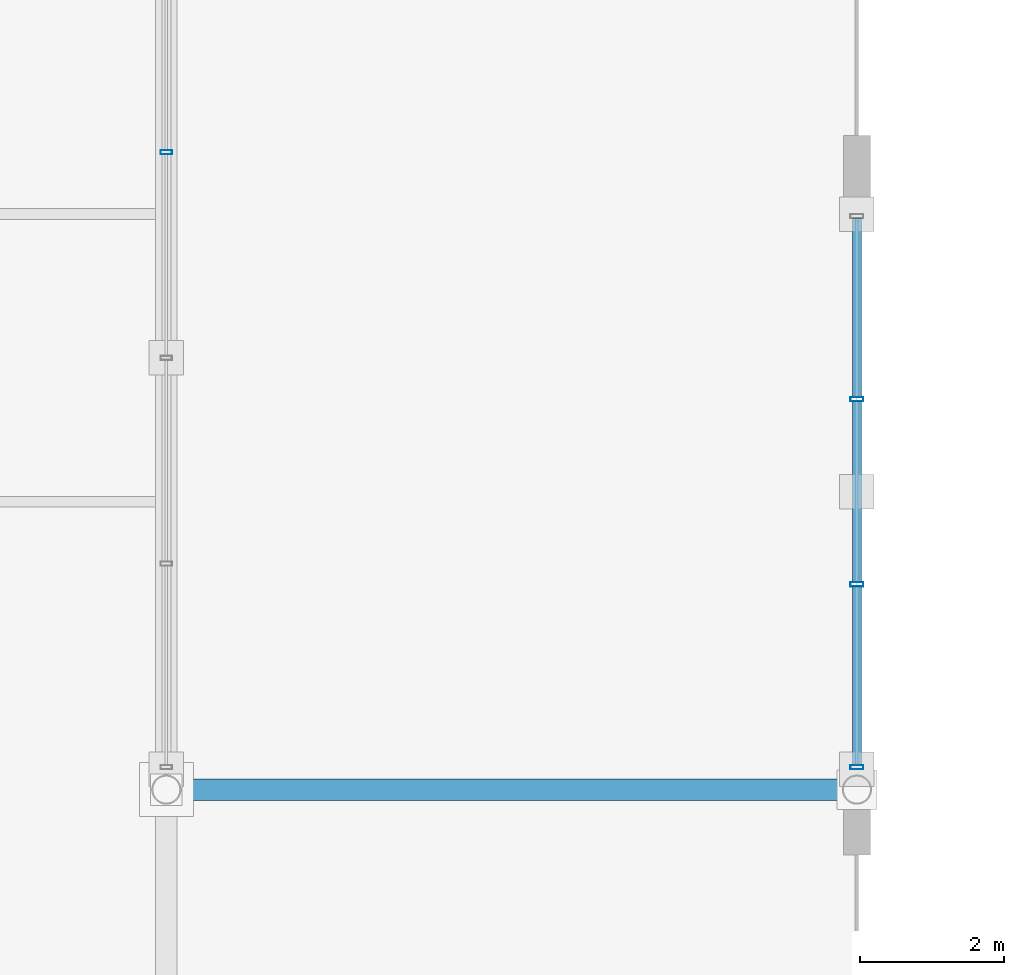
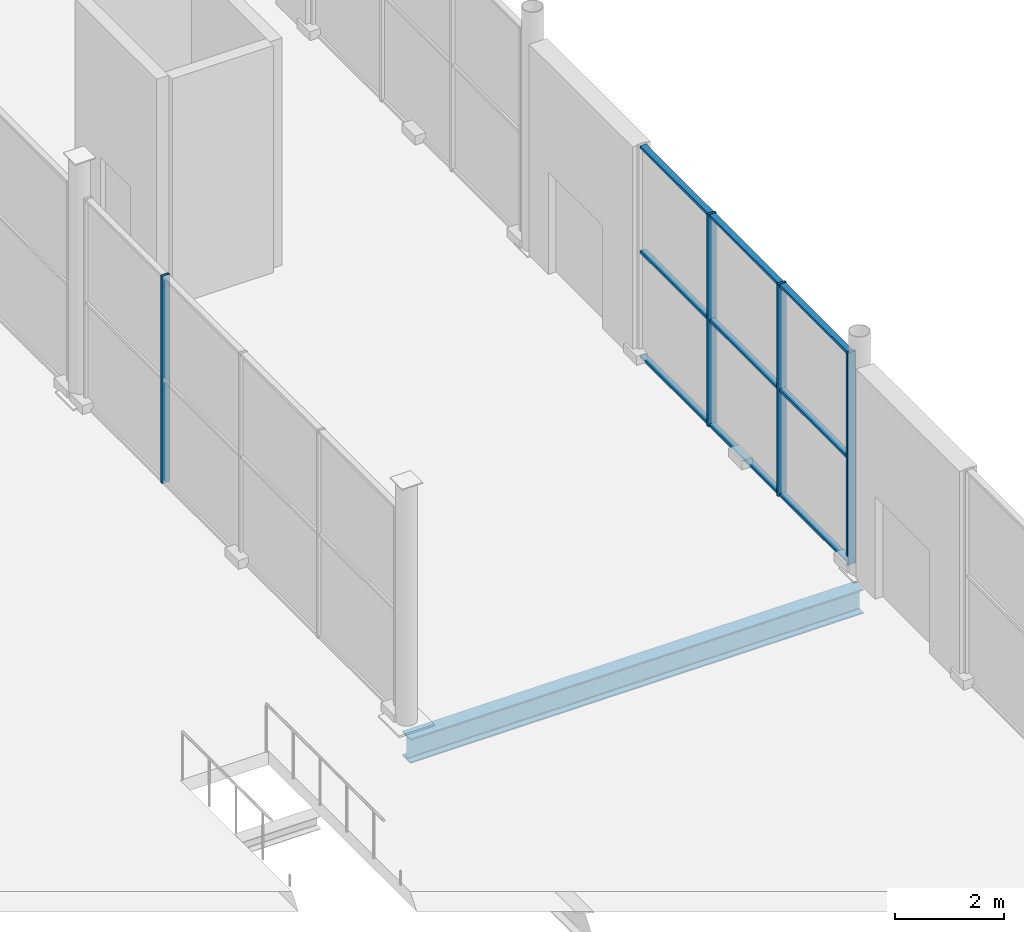
# One storey, part 115 of 196: 13 members, 1 beam, 2 elements without a shape of their own.
"""IFC4 building model written with IfcOpenShell, lengths in metres."""

from ifc_helpers import new_model, si_unit, direction, frame, origin, origin_2d, place, context, subcontext, project, spatial, hollow_rectangle, i_section, extrude, material, material_profile, profile_set, type_object, element, aggregate, save


model = new_model("IFC4")

# Units and contexts
model_context = context("Model", 3, precision=1e-05, world=origin(), true_north=direction((0.0, 1.0)))
body_context = subcontext(model_context, "Body", "Model", "MODEL_VIEW")
ifc_project = project(units=[si_unit("LENGTHUNIT", "METRE"), si_unit("AREAUNIT", "SQUARE_METRE"), si_unit("VOLUMEUNIT", "CUBIC_METRE"), si_unit("PLANEANGLEUNIT", "RADIAN"), si_unit("MASSUNIT", "GRAM", prefix="KILO")], contexts=[model_context])

# Site, building, storey
site_placement = place(None, origin())
site = spatial("IfcSite", under=ifc_project, at=site_placement, CompositionType="ELEMENT")
building_placement = place(site_placement, origin())
building = spatial("IfcBuilding", under=site, at=building_placement, Name="Merenkruunu Market Hall", CompositionType="ELEMENT")
storey_placement = place(building_placement, origin())
storey = spatial("IfcBuildingStorey", under=building, at=storey_placement, Name="L00", CompositionType="ELEMENT", Elevation=0.0)

# Curtain wall, member
ifc_material_1 = material(Name="Powder-coated aluminium", Category="aluminium")
curtain_wall_type_1 = type_object("IfcCurtainWallType", Name="Glazed Curtain Wall CW15", PredefinedType="USERDEFINED", material=ifc_material_1)
curtain_wall_1_placement = place(storey_placement, origin())
curtain_wall_1 = element("IfcCurtainWall", 1, at=curtain_wall_1_placement, inside=storey, type_object=curtain_wall_type_1, Name="CW-L00-CWM01-174", ObjectType="GLAZED_FACADE", PredefinedType="USERDEFINED")
ifc_material_profile_1 = material_profile(ifc_material_1, hollow_rectangle(XDim=0.06005859375, YDim=0.159912109375, WallThickness=0.00390625, at=origin_2d()), Name="ALU 60x160x4")
ifc_profile_set_1 = profile_set([ifc_material_profile_1], Name="Powder-coated aluminium")
member_type_1 = type_object("IfcMemberType", Name="Curtain Wall Mullion CWM01", PredefinedType="MULLION", material=ifc_profile_set_1)
member_1_placement = place(storey_placement, frame((67.199951171875, 72.4599609375, 0.0), z_axis=(0.0, 0.0, 1.0), x_axis=(0.0, 1.0, 0.0)))
member_1 = element("IfcMember", 2, at=member_1_placement, type_object=member_type_1, Name="CW15 mullion 4", PredefinedType="MULLION", context=body_context, shape_type="SweptSolid", body=[
    extrude(hollow_rectangle(XDim=0.06005859375, YDim=0.159912109375, WallThickness=0.00390625, at=origin_2d()), origin(), (0.0, 0.0, 1.0), 4.64990234375),
])
aggregate(curtain_wall_1, [member_1])

# Curtain wall, members
curtain_wall_type_2 = type_object("IfcCurtainWallType", Name="Glazed Curtain Wall CW12", PredefinedType="USERDEFINED", material=ifc_material_1)
curtain_wall_2_placement = place(storey_placement, origin())
curtain_wall_2 = element("IfcCurtainWall", 3, at=curtain_wall_2_placement, inside=storey, type_object=curtain_wall_type_2, Name="CW-L00-CWM02-162", ObjectType="GLAZED_FACADE", PredefinedType="USERDEFINED")
ifc_material_profile_2 = material_profile(ifc_material_1, hollow_rectangle(XDim=0.06005859375, YDim=0.179931640625, WallThickness=0.00390625, at=origin_2d()), Name="ALU 60x180x4")
ifc_profile_set_2 = profile_set([ifc_material_profile_2], Name="Powder-coated aluminium")
member_type_2 = type_object("IfcMemberType", Name="Curtain Wall Mullion CWM02", PredefinedType="MULLION", material=ifc_profile_set_2)
member_2_placement = place(storey_placement, frame((76.800048828125, 69.026611328125, 0.0), z_axis=(0.0, 0.0, 1.0), x_axis=(0.0, -1.0, 0.0)))
member_2 = element("IfcMember", 4, at=member_2_placement, type_object=member_type_2, Name="CW12 mullion 2", PredefinedType="MULLION", context=body_context, shape_type="SweptSolid", body=[
    extrude(hollow_rectangle(XDim=0.06005859375, YDim=0.179931640625, WallThickness=0.00390625, at=origin_2d()), origin(), (0.0, 0.0, 1.0), 4.75),
])
member_3_placement = place(storey_placement, frame((76.800048828125, 66.453369140625, 0.0), z_axis=(0.0, 0.0, 1.0), x_axis=(0.0, -1.0, 0.0)))
member_3 = element("IfcMember", 5, at=member_3_placement, type_object=member_type_2, Name="CW12 mullion 3", PredefinedType="MULLION", context=body_context, shape_type="SweptSolid", body=[
    extrude(hollow_rectangle(XDim=0.06005859375, YDim=0.179931640625, WallThickness=0.00390625, at=origin_2d()), origin(), (0.0, 0.0, 1.0), 4.75),
])
member_4_placement = place(storey_placement, frame((76.800048828125, 63.909912109375, 0.0), z_axis=(0.0, 0.0, 1.0), x_axis=(0.0, -1.0, 0.0)))
member_4 = element("IfcMember", 6, at=member_4_placement, type_object=member_type_2, Name="CW12 mullion 4", PredefinedType="MULLION", context=body_context, shape_type="SweptSolid", body=[
    extrude(hollow_rectangle(XDim=0.06005859375, YDim=0.179931640625, WallThickness=0.00390625, at=origin_2d()), origin(), (0.0, 0.0, 1.0), 4.75),
])
ifc_material_profile_3 = material_profile(ifc_material_1, hollow_rectangle(XDim=0.06005859375, YDim=0.125, WallThickness=0.00390625, at=origin_2d()), Name="ALU 60x125x4")
ifc_profile_set_3 = profile_set([ifc_material_profile_3], Name="Powder-coated aluminium")
member_type_3 = type_object("IfcMemberType", Name="Curtain Wall Transom CWT01", PredefinedType="USERDEFINED", material=ifc_profile_set_3)
member_5_placement = place(storey_placement, frame((76.800048828125, 71.5400390625, 0.030029296875), z_axis=(0.0, -1.0, 0.0), x_axis=(0.0, 0.0, 1.0)))
member_5 = element("IfcMember", 7, at=member_5_placement, type_object=member_type_3, Name="CW12 transom 1.1", ObjectType="TRANSOM", PredefinedType="USERDEFINED", context=body_context, shape_type="SweptSolid", body=[
    extrude(hollow_rectangle(XDim=0.06005859375, YDim=0.125, WallThickness=0.00390625, at=origin_2d()), origin(), (0.0, 0.0, 1.0), 2.4833984375),
])
member_6_placement = place(storey_placement, frame((76.800048828125, 71.5400390625, 2.375), z_axis=(0.0, -1.0, 0.0), x_axis=(0.0, 0.0, 1.0)))
member_6 = element("IfcMember", 8, at=member_6_placement, type_object=member_type_3, Name="CW12 transom 1.2", ObjectType="TRANSOM", PredefinedType="USERDEFINED", context=body_context, shape_type="SweptSolid", body=[
    extrude(hollow_rectangle(XDim=0.06005859375, YDim=0.125, WallThickness=0.00390625, at=origin_2d()), origin(), (0.0, 0.0, 1.0), 2.4833984375),
])
member_7_placement = place(storey_placement, frame((76.800048828125, 71.5400390625, 4.719970703125), z_axis=(0.0, -1.0, 0.0), x_axis=(0.0, 0.0, 1.0)))
member_7 = element("IfcMember", 9, at=member_7_placement, type_object=member_type_3, Name="CW12 transom 1.3", ObjectType="TRANSOM", PredefinedType="USERDEFINED", context=body_context, shape_type="SweptSolid", body=[
    extrude(hollow_rectangle(XDim=0.06005859375, YDim=0.125, WallThickness=0.00390625, at=origin_2d()), origin(), (0.0, 0.0, 1.0), 2.4833984375),
])
member_8_placement = place(storey_placement, frame((76.800048828125, 68.99658203125, 0.030029296875), z_axis=(0.0, -1.0, 0.0), x_axis=(0.0, 0.0, 1.0)))
member_8 = element("IfcMember", 10, at=member_8_placement, type_object=member_type_3, Name="CW12 transom 2.1", ObjectType="TRANSOM", PredefinedType="USERDEFINED", context=body_context, shape_type="SweptSolid", body=[
    extrude(hollow_rectangle(XDim=0.06005859375, YDim=0.125, WallThickness=0.00390625, at=origin_2d()), origin(), (0.0, 0.0, 1.0), 2.51318359375),
])
member_9_placement = place(storey_placement, frame((76.800048828125, 68.99658203125, 2.375), z_axis=(0.0, -1.0, 0.0), x_axis=(0.0, 0.0, 1.0)))
member_9 = element("IfcMember", 11, at=member_9_placement, type_object=member_type_3, Name="CW12 transom 2.2", ObjectType="TRANSOM", PredefinedType="USERDEFINED", context=body_context, shape_type="SweptSolid", body=[
    extrude(hollow_rectangle(XDim=0.06005859375, YDim=0.125, WallThickness=0.00390625, at=origin_2d()), origin(), (0.0, 0.0, 1.0), 2.51318359375),
])
member_10_placement = place(storey_placement, frame((76.800048828125, 68.99658203125, 4.719970703125), z_axis=(0.0, -1.0, 0.0), x_axis=(0.0, 0.0, 1.0)))
member_10 = element("IfcMember", 12, at=member_10_placement, type_object=member_type_3, Name="CW12 transom 2.3", ObjectType="TRANSOM", PredefinedType="USERDEFINED", context=body_context, shape_type="SweptSolid", body=[
    extrude(hollow_rectangle(XDim=0.06005859375, YDim=0.125, WallThickness=0.00390625, at=origin_2d()), origin(), (0.0, 0.0, 1.0), 2.51318359375),
])
member_11_placement = place(storey_placement, frame((76.800048828125, 66.42333984375, 0.030029296875), z_axis=(0.0, -1.0, 0.0), x_axis=(0.0, 0.0, 1.0)))
member_11 = element("IfcMember", 13, at=member_11_placement, type_object=member_type_3, Name="CW12 transom 3.1", ObjectType="TRANSOM", PredefinedType="USERDEFINED", context=body_context, shape_type="SweptSolid", body=[
    extrude(hollow_rectangle(XDim=0.06005859375, YDim=0.125, WallThickness=0.00390625, at=origin_2d()), origin(), (0.0, 0.0, 1.0), 2.4833984375),
])
member_12_placement = place(storey_placement, frame((76.800048828125, 66.42333984375, 2.375), z_axis=(0.0, -1.0, 0.0), x_axis=(0.0, 0.0, 1.0)))
member_12 = element("IfcMember", 14, at=member_12_placement, type_object=member_type_3, Name="CW12 transom 3.2", ObjectType="TRANSOM", PredefinedType="USERDEFINED", context=body_context, shape_type="SweptSolid", body=[
    extrude(hollow_rectangle(XDim=0.06005859375, YDim=0.125, WallThickness=0.00390625, at=origin_2d()), origin(), (0.0, 0.0, 1.0), 2.4833984375),
])
member_13_placement = place(storey_placement, frame((76.800048828125, 66.42333984375, 4.719970703125), z_axis=(0.0, -1.0, 0.0), x_axis=(0.0, 0.0, 1.0)))
member_13 = element("IfcMember", 15, at=member_13_placement, type_object=member_type_3, Name="CW12 transom 3.3", ObjectType="TRANSOM", PredefinedType="USERDEFINED", context=body_context, shape_type="SweptSolid", body=[
    extrude(hollow_rectangle(XDim=0.06005859375, YDim=0.125, WallThickness=0.00390625, at=origin_2d()), origin(), (0.0, 0.0, 1.0), 2.4833984375),
])
aggregate(curtain_wall_2, [member_2, member_3, member_4, member_5, member_6, member_7, member_8, member_9, member_10, member_11, member_12, member_13])

# Beam
ifc_material_2 = material(Name="Steel S355J2", Category="steel")
ifc_material_profile_4 = material_profile(ifc_material_2, i_section(OverallWidth=0.300048828125, OverallDepth=0.550048828125, WebThickness=0.014892578125, FlangeThickness=0.029052734375, FilletRadius=0.027099609375, at=origin_2d()), Name="HEB 550")
ifc_profile_set_4 = profile_set([ifc_material_profile_4], Name="Steel S355J2")
beam_type = type_object("IfcBeamType", Name="Primary Floor Girder B02", PredefinedType="BEAM", material=ifc_profile_set_4)
beam_placement = place(storey_placement, frame((67.199951171875, 63.60009765625, -0.574951171875), z_axis=(1.0, 0.0, 0.0), x_axis=(0.0, 1.0, 0.0)))
element("IfcBeam", 16, at=beam_placement, inside=storey, type_object=beam_type, Name="BM-L00-B02-0093", PredefinedType="BEAM", context=body_context, shape_type="SweptSolid", body=[
    extrude(i_section(OverallWidth=0.300048828125, OverallDepth=0.550048828125, WebThickness=0.014892578125, FlangeThickness=0.029052734375, FilletRadius=0.027099609375, at=origin_2d()), origin(), (0.0, 0.0, 1.0), 9.60009765625),
])

save(model, "model.ifc")
